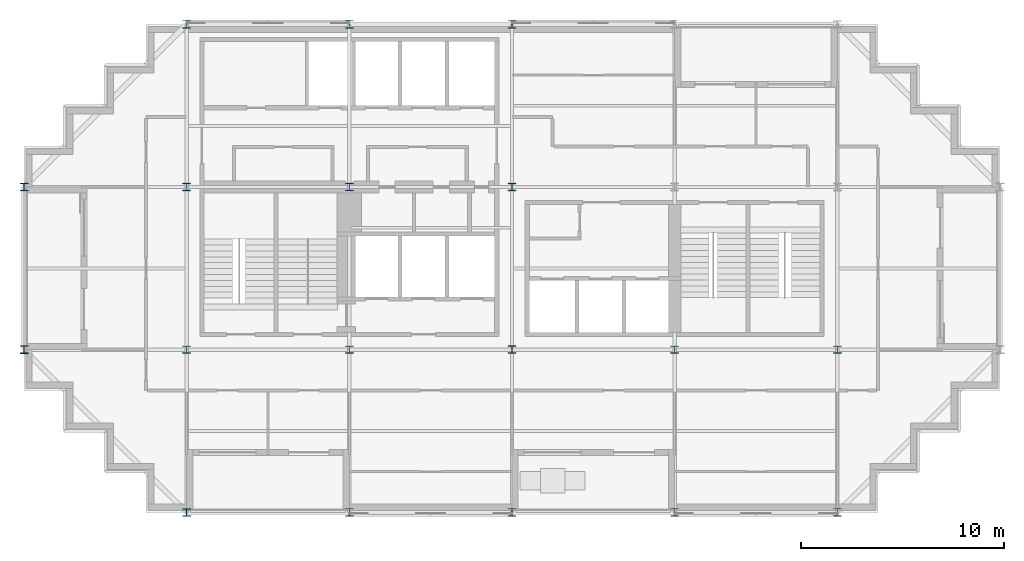
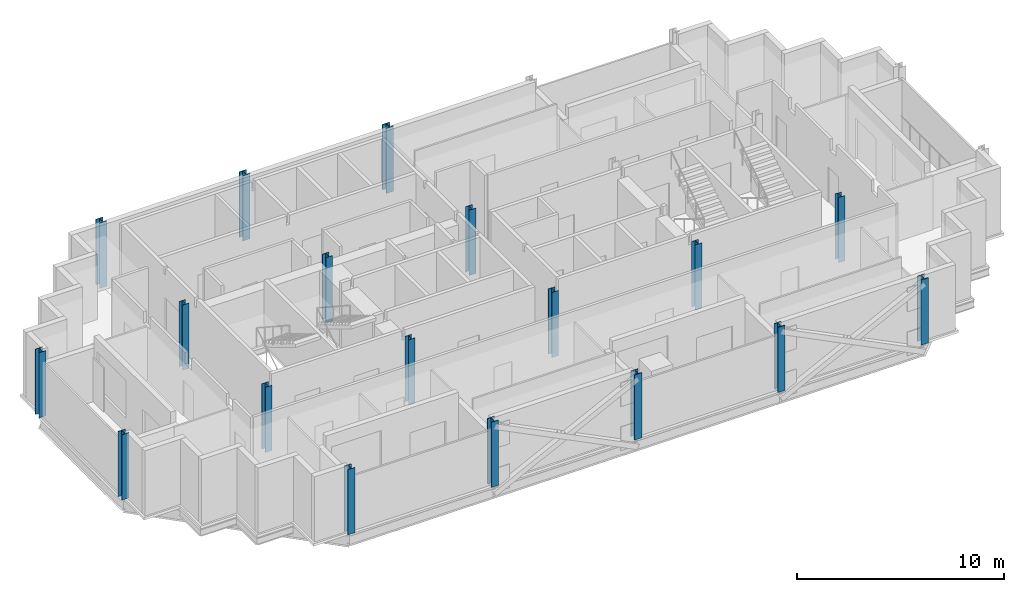
# One storey, part 1 of 10: 18 columns.
"""IFC4 building model written with IfcOpenShell, lengths in metres."""

from ifc_helpers import new_model, si_unit, direction, frame, origin, origin_2d, place, context, subcontext, project, spatial, i_section, extrude, material, material_profile, profile_set, type_object, element, save


model = new_model("IFC4")

# Units and contexts
model_context = context("Model", 3, precision=1e-05, world=origin(), true_north=direction((0.0, 1.0)))
body_context = subcontext(model_context, "Body", "Model", "MODEL_VIEW")
ifc_project = project(units=[si_unit("LENGTHUNIT", "METRE"), si_unit("AREAUNIT", "SQUARE_METRE"), si_unit("VOLUMEUNIT", "CUBIC_METRE"), si_unit("PLANEANGLEUNIT", "RADIAN"), si_unit("MASSUNIT", "GRAM", prefix="KILO")], contexts=[model_context])

# Site, building, storey
site_placement = place(None, origin())
site = spatial("IfcSite", under=ifc_project, at=site_placement, CompositionType="ELEMENT")
building_placement = place(site_placement, origin())
building = spatial("IfcBuilding", under=site, at=building_placement, Name="Immortelle Media Tower", CompositionType="ELEMENT")
storey_placement = place(building_placement, frame((0.0, 0.0, 263.0)))
storey = spatial("IfcBuildingStorey", under=building, at=storey_placement, Name="L57", CompositionType="ELEMENT", Elevation=263.0)

# Columns
ifc_material = material(Name="Steel ASTM A992 Gr 50", Category="steel")
ifc_material_profile_1 = material_profile(ifc_material, i_section(OverallWidth=0.373046875, OverallDepth=0.367919921875, WebThickness=0.014892578125, FlangeThickness=0.02392578125, at=origin_2d()), Name="W14x120")
ifc_profile_set_1 = profile_set([ifc_material_profile_1], Name="Steel ASTM A992 Gr 50")
column_type_1 = type_object("IfcColumnType", Name="W14x120 column", PredefinedType="COLUMN", material=ifc_profile_set_1)
for number, where, z_axis, x_axis, name in (
    (1, (24.0, 8.0, 0.0), (0.0, 0.0, 1.0), (1.0, 0.0, 0.0), "Column 4/B"),
    (2, (24.0, 16.0, 0.0), (0.0, 0.0, 1.0), (1.0, 0.0, 0.0), "Column 4/C"),
):
    element("IfcColumn", number, at=place(storey_placement, frame(where, z_axis=z_axis, x_axis=x_axis)), inside=storey, type_object=column_type_1, Name=name, PredefinedType="COLUMN", context=body_context, shape_type="SweptSolid", body=[
        extrude(i_section(OverallWidth=0.373046875, OverallDepth=0.367919921875, WebThickness=0.014892578125, FlangeThickness=0.02392578125, at=origin_2d()), origin(), (0.0, 0.0, 1.0), 3.85009765625),
    ])
ifc_material_profile_2 = material_profile(ifc_material, i_section(OverallWidth=0.39404296875, OverallDepth=0.3759765625, WebThickness=0.01708984375, FlangeThickness=0.028076171875, at=origin_2d()), Name="W14x145")
ifc_profile_set_2 = profile_set([ifc_material_profile_2], Name="Steel ASTM A992 Gr 50")
column_type_2 = type_object("IfcColumnType", Name="W14x145 column", PredefinedType="COLUMN", material=ifc_profile_set_2)
for number, where, z_axis, x_axis, name in (
    (3, (0.0, 8.0, 0.0), (0.0, 0.0, 1.0), (1.0, 0.0, 0.0), "Column 1/B"),
    (4, (0.0, 16.0, 0.0), (0.0, 0.0, 1.0), (1.0, 0.0, 0.0), "Column 1/C"),
    (5, (8.0, 0.0, 0.0), (0.0, 0.0, 1.0), (1.0, 0.0, 0.0), "Column 2/A"),
):
    element("IfcColumn", number, at=place(storey_placement, frame(where, z_axis=z_axis, x_axis=x_axis)), inside=storey, type_object=column_type_2, Name=name, PredefinedType="COLUMN", context=body_context, shape_type="SweptSolid", body=[
        extrude(i_section(OverallWidth=0.39404296875, OverallDepth=0.3759765625, WebThickness=0.01708984375, FlangeThickness=0.028076171875, at=origin_2d()), origin(), (0.0, 0.0, 1.0), 3.85009765625),
    ])
ifc_material_profile_3 = material_profile(ifc_material, i_section(OverallWidth=0.40087890625, OverallDepth=0.39892578125, WebThickness=0.02490234375, FlangeThickness=0.0400390625, at=origin_2d()), Name="W14x211")
ifc_profile_set_3 = profile_set([ifc_material_profile_3], Name="Steel ASTM A992 Gr 50")
column_type_3 = type_object("IfcColumnType", Name="W14x211 column", PredefinedType="COLUMN", material=ifc_profile_set_3)
for number, where, z_axis, x_axis, name in (
    (6, (8.0, 24.0, 0.0), (0.0, 0.0, 1.0), (1.0, 0.0, 0.0), "Column 2/D"),
    (7, (16.0, 0.0, 0.0), (0.0, 0.0, 1.0), (1.0, 0.0, 0.0), "Column 3/A"),
    (8, (16.0, 24.0, 0.0), (0.0, 0.0, 1.0), (1.0, 0.0, 0.0), "Column 3/D"),
    (9, (24.0, 0.0, 0.0), (0.0, 0.0, 1.0), (1.0, 0.0, 0.0), "Column 4/A"),
    (10, (24.0, 24.0, 0.0), (0.0, 0.0, 1.0), (1.0, 0.0, 0.0), "Column 4/D"),
    (11, (32.0, 0.0, 0.0), (0.0, 0.0, 1.0), (1.0, 0.0, 0.0), "Column 5/A"),
    (12, (40.0, 0.0, 0.0), (0.0, 0.0, 1.0), (1.0, 0.0, 0.0), "Column 6/A"),
):
    element("IfcColumn", number, at=place(storey_placement, frame(where, z_axis=z_axis, x_axis=x_axis)), inside=storey, type_object=column_type_3, Name=name, PredefinedType="COLUMN", context=body_context, shape_type="SweptSolid", body=[
        extrude(i_section(OverallWidth=0.40087890625, OverallDepth=0.39892578125, WebThickness=0.02490234375, FlangeThickness=0.0400390625, at=origin_2d()), origin(), (0.0, 0.0, 1.0), 3.85009765625),
    ])
ifc_material_profile_4 = material_profile(ifc_material, i_section(OverallWidth=0.37109375, OverallDepth=0.361083984375, WebThickness=0.011962890625, FlangeThickness=0.02001953125, at=origin_2d()), Name="W14x99")
ifc_profile_set_4 = profile_set([ifc_material_profile_4], Name="Steel ASTM A992 Gr 50")
column_type_4 = type_object("IfcColumnType", Name="W14x99 column", PredefinedType="COLUMN", material=ifc_profile_set_4)
for number, where, z_axis, x_axis, name in (
    (13, (8.0, 8.0, 0.0), (0.0, 0.0, 1.0), (1.0, 0.0, 0.0), "Column 2/B"),
    (14, (8.0, 16.0, 0.0), (0.0, 0.0, 1.0), (1.0, 0.0, 0.0), "Column 2/C"),
    (15, (16.0, 8.0, 0.0), (0.0, 0.0, 1.0), (1.0, 0.0, 0.0), "Column 3/B"),
    (16, (16.0, 16.0, 0.0), (0.0, 0.0, 1.0), (1.0, 0.0, 0.0), "Column 3/C"),
    (17, (32.0, 8.0, 0.0), (0.0, 0.0, 1.0), (1.0, 0.0, 0.0), "Column 5/B"),
    (18, (40.0, 8.0, 0.0), (0.0, 0.0, 1.0), (1.0, 0.0, 0.0), "Column 6/B"),
):
    element("IfcColumn", number, at=place(storey_placement, frame(where, z_axis=z_axis, x_axis=x_axis)), inside=storey, type_object=column_type_4, Name=name, PredefinedType="COLUMN", context=body_context, shape_type="SweptSolid", body=[
        extrude(i_section(OverallWidth=0.37109375, OverallDepth=0.361083984375, WebThickness=0.011962890625, FlangeThickness=0.02001953125, at=origin_2d()), origin(), (0.0, 0.0, 1.0), 3.85009765625),
    ])

save(model, "model.ifc")
